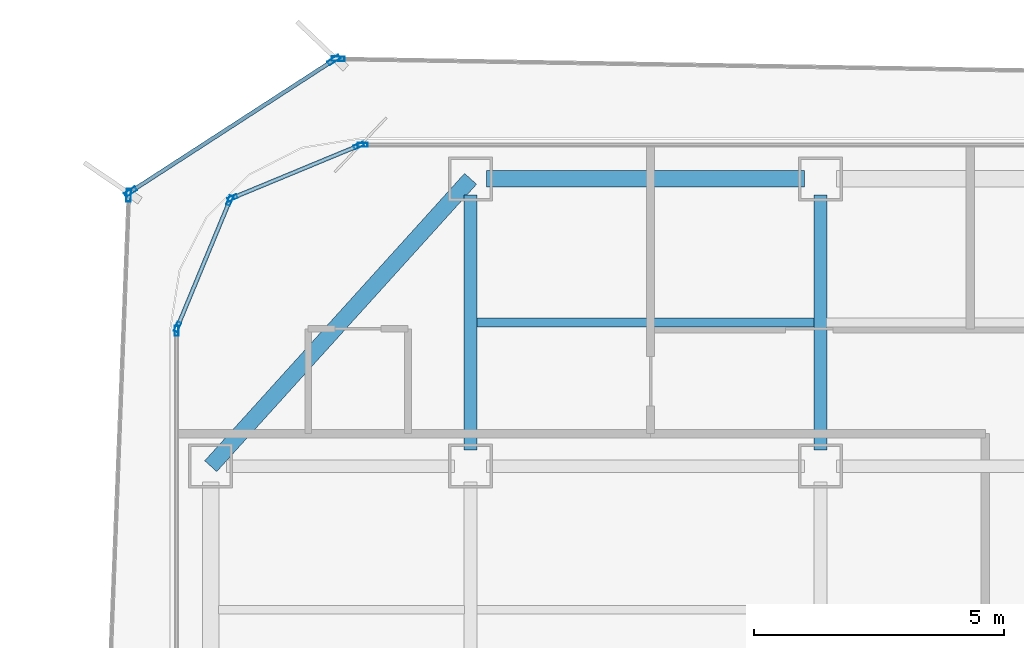
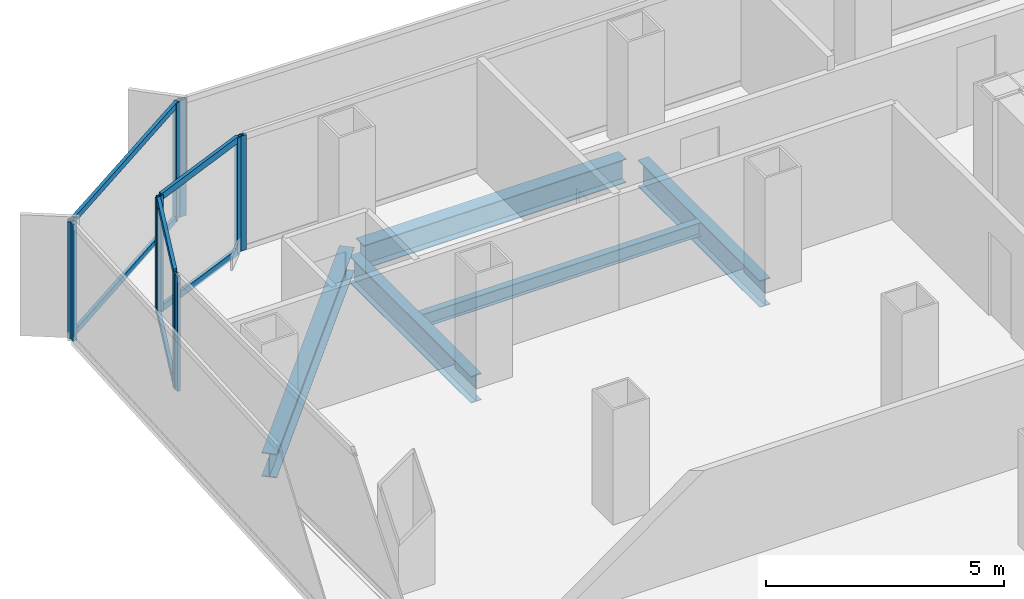
# One storey, part 10 of 21: 16 members, 5 beams, 7 elements without a shape of their own.
"""IFC4 building model written with IfcOpenShell, lengths in metres."""

from ifc_helpers import new_model, si_unit, direction, frame, origin, origin_2d, place, context, subcontext, project, spatial, hollow_rectangle, i_section, extrude, source, transform, mapped, material, layer, layer_set, material_profile, profile_set, type_object, element, aggregate, save


model = new_model("IFC4")

# Units and contexts
model_context = context("Model", 3, precision=1e-05, world=origin(), true_north=direction((0.0, 1.0)))
body_context = subcontext(model_context, "Body", "Model", "MODEL_VIEW")
ifc_project = project(units=[si_unit("LENGTHUNIT", "METRE"), si_unit("AREAUNIT", "SQUARE_METRE"), si_unit("VOLUMEUNIT", "CUBIC_METRE"), si_unit("PLANEANGLEUNIT", "RADIAN"), si_unit("MASSUNIT", "GRAM", prefix="KILO")], contexts=[model_context])

# Site, building, storey
site_placement = place(None, origin())
site = spatial("IfcSite", under=ifc_project, at=site_placement, CompositionType="ELEMENT")
building_placement = place(site_placement, origin())
building = spatial("IfcBuilding", under=site, at=building_placement, Name="Kolveth Station Tower", CompositionType="ELEMENT")
storey_placement = place(building_placement, frame((0.0, 0.0, 124.699951171875)))
storey = spatial("IfcBuildingStorey", under=building, at=storey_placement, Name="L34", CompositionType="ELEMENT", Elevation=124.699951171875)

# Beams
ifc_material_1 = material(Name="Steel S355", Category="steel")
ifc_material_profile_1 = material_profile(ifc_material_1, i_section(OverallWidth=0.323974609375, OverallDepth=0.611083984375, WebThickness=0.0126953125, FlangeThickness=0.01904296875, at=origin_2d()), Name="W610x155")
ifc_profile_set_1 = profile_set([ifc_material_profile_1], Name="Steel S355")
beam_type_1 = type_object("IfcBeamType", Name="Beam_SP2", PredefinedType="SPANDREL", material=ifc_profile_set_1)
shared_shape_1 = source(origin(), body_context, "Body", "SweptSolid", [
    extrude(i_section(OverallWidth=0.323974609375, OverallDepth=0.611083984375, WebThickness=0.0126953125, FlangeThickness=0.01904296875, at=origin_2d()), origin(), (0.0, 0.0, 1.0), 6.35986328125),
])
beam_1_placement = place(storey_placement, frame((6.320068359375, 34.5, -0.555419921875), z_axis=(1.0, 0.0, 0.0), x_axis=(0.0, 1.0, 0.0)))
element("IfcBeam", 1, at=beam_1_placement, inside=storey, type_object=beam_type_1, Name="L34 Perimeter Spandrel BM-L34-PN-1", PredefinedType="SPANDREL", context=body_context, shape_type="MappedRepresentation", body=[
    mapped(shared_shape_1, transform((0.0, 0.0, 0.0), x_axis=(1.0, 0.0, 0.0), y_axis=(0.0, 1.0, 0.0), z_axis=(0.0, 0.0, 1.0), scale=1.0)),
])
shared_shape_2 = source(origin(), body_context, "Body", "SweptSolid", [
    extrude(i_section(OverallWidth=0.323974609375, OverallDepth=0.611083984375, WebThickness=0.0126953125, FlangeThickness=0.01904296875, at=origin_2d()), origin(), (0.0, 0.0, 1.0), 7.75244140625),
])
beam_2_placement = place(storey_placement, frame((6.0, 34.5, -0.555419921875), z_axis=(-0.670740965555, -0.74169168603, 0.0), x_axis=(0.74169168603, -0.670740965555, 0.0)))
element("IfcBeam", 2, at=beam_2_placement, inside=storey, type_object=beam_type_1, Name="L34 Corner Edge Girder BM-L34-CNR-NW", PredefinedType="SPANDREL", context=body_context, shape_type="MappedRepresentation", body=[
    mapped(shared_shape_2, transform((0.0, 0.0, 0.0), x_axis=(1.0, 0.0, 0.0), y_axis=(0.0, 1.0, 0.0), z_axis=(0.0, 0.0, 1.0), scale=1.0)),
])
ifc_material_profile_2 = material_profile(ifc_material_1, i_section(OverallWidth=0.25390625, OverallDepth=0.68798828125, WebThickness=0.01318359375, FlangeThickness=0.02099609375, at=origin_2d()), Name="W690x152")
ifc_profile_set_2 = profile_set([ifc_material_profile_2], Name="Steel S355")
beam_type_2 = type_object("IfcBeamType", Name="Beam_B4", PredefinedType="BEAM", material=ifc_profile_set_2)
shared_shape_3 = source(origin(), body_context, "Body", "SweptSolid", [
    extrude(i_section(OverallWidth=0.25390625, OverallDepth=0.68798828125, WebThickness=0.01318359375, FlangeThickness=0.02099609375, at=origin_2d()), origin(), (0.0, 0.0, 1.0), 5.10986328125),
])
for number, where, z_axis, x_axis, name in (
    (3, (6.0, 29.070068359375, -0.593994140625), (0.0, 1.0, 0.0), (-1.0, 0.0, 0.0), "L34 Primary Girder BM-L34-GX60-6"),
    (4, (13.0, 29.070068359375, -0.593994140625), (0.0, 1.0, 0.0), (-1.0, 0.0, 0.0), "L34 Primary Girder BM-L34-GX130-6"),
):
    element("IfcBeam", number, at=place(storey_placement, frame(where, z_axis=z_axis, x_axis=x_axis)), inside=storey, type_object=beam_type_2, Name=name, PredefinedType="BEAM", context=body_context, shape_type="MappedRepresentation", body=[
        mapped(shared_shape_3, transform((0.0, 0.0, 0.0), x_axis=(1.0, 0.0, 0.0), y_axis=(0.0, 1.0, 0.0), z_axis=(0.0, 0.0, 1.0), scale=1.0)),
    ])
ifc_material_profile_3 = material_profile(ifc_material_1, i_section(OverallWidth=0.1708984375, OverallDepth=0.35205078125, WebThickness=0.0068359375, FlangeThickness=0.009765625, at=origin_2d()), Name="W360x44")
ifc_profile_set_3 = profile_set([ifc_material_profile_3], Name="Steel S355")
beam_type_3 = type_object("IfcBeamType", Name="Beam_J2", PredefinedType="JOIST", material=ifc_profile_set_3)
shared_shape_4 = source(origin(), body_context, "Body", "SweptSolid", [
    extrude(i_section(OverallWidth=0.1708984375, OverallDepth=0.35205078125, WebThickness=0.0068359375, FlangeThickness=0.009765625, at=origin_2d()), origin(), (0.0, 0.0, 1.0), 6.75),
])
beam_3_placement = place(storey_placement, frame((6.125, 31.625, -0.426025390625), z_axis=(1.0, 0.0, 0.0), x_axis=(0.0, 1.0, 0.0)))
element("IfcBeam", 5, at=beam_3_placement, inside=storey, type_object=beam_type_3, Name="L34 Secondary Joist JST-L34-2-6", PredefinedType="JOIST", context=body_context, shape_type="MappedRepresentation", body=[
    mapped(shared_shape_4, transform((0.0, 0.0, 0.0), x_axis=(1.0, 0.0, 0.0), y_axis=(0.0, 1.0, 0.0), z_axis=(0.0, 0.0, 1.0), scale=1.0)),
])

# Curtain wall, member
ifc_material_2 = material(Name="Aluminium 6063-T6 and low-E dark glass", Category="aluminium")
ifc_layer_1 = layer(ifc_material_2, 0.18994140625)
ifc_layer_set_1 = layer_set([ifc_layer_1], Name="Aluminium 6063-T6 and low-E dark glass")
curtain_wall_type_1 = type_object("IfcCurtainWallType", Name="CurtainWall_CW-Z2", PredefinedType="NOTDEFINED", material=ifc_layer_set_1)
curtain_wall_1_placement = place(storey_placement, origin())
curtain_wall_1 = element("IfcCurtainWall", 6, at=curtain_wall_1_placement, inside=storey, type_object=curtain_wall_type_1, Name="L34 Inner Thermal Curtain Wall 6", PredefinedType="NOTDEFINED")
ifc_material_3 = material(Name="Black anodized aluminium 6063-T6", Category="aluminium")
ifc_material_profile_4 = material_profile(ifc_material_3, hollow_rectangle(XDim=0.080078125, YDim=0.199951171875, WallThickness=0.0048828125, at=origin_2d()), Name="ALU-80x200x5")
ifc_profile_set_4 = profile_set([ifc_material_profile_4], Name="Black anodized aluminium 6063-T6")
member_type_1 = type_object("IfcMemberType", Name="Mullion_ML2", PredefinedType="MULLION", material=ifc_profile_set_4)
shared_shape_5 = source(origin(), body_context, "Body", "SweptSolid", [
    extrude(hollow_rectangle(XDim=0.080078125, YDim=0.199951171875, WallThickness=0.0048828125, at=origin_2d()), origin(), (0.0, 0.0, 1.0), 2.949951171875),
])
member_1_placement = place(storey_placement, frame((3.840087890625, 35.179931640625, 0.0), z_axis=(0.0, 0.0, 1.0), x_axis=(0.0, -1.0, 0.0)))
member_1 = element("IfcMember", 7, at=member_1_placement, type_object=member_type_1, Name="CW-Z2 mullion 3", PredefinedType="MULLION", context=body_context, shape_type="MappedRepresentation", body=[
    mapped(shared_shape_5, transform((0.0, 0.0, 0.0), x_axis=(1.0, 0.0, 0.0), y_axis=(0.0, 1.0, 0.0), z_axis=(0.0, 0.0, 1.0), scale=1.0)),
])
aggregate(curtain_wall_1, [member_1])

# Curtain wall, members
curtain_wall_2_placement = place(storey_placement, origin())
curtain_wall_2 = element("IfcCurtainWall", 8, at=curtain_wall_2_placement, inside=storey, type_object=curtain_wall_type_1, Name="L34 Inner Thermal Curtain Wall 7", PredefinedType="NOTDEFINED")
member_2_placement = place(storey_placement, frame((3.762939453125, 35.164794921875, 0.0), z_axis=(0.0, 0.0, 1.0), x_axis=(0.38266326998, -0.923887883787, 0.0)))
member_2 = element("IfcMember", 9, at=member_2_placement, type_object=member_type_1, Name="CW-Z2 mullion 1", PredefinedType="MULLION", context=body_context, shape_type="MappedRepresentation", body=[
    mapped(shared_shape_5, transform((0.0, 0.0, 0.0), x_axis=(1.0, 0.0, 0.0), y_axis=(0.0, 1.0, 0.0), z_axis=(0.0, 0.0, 1.0), scale=1.0)),
])
member_3_placement = place(storey_placement, frame((1.23486328125, 34.117431640625, 0.0), z_axis=(0.0, 0.0, 1.0), x_axis=(0.38266326998, -0.923887883787, 0.0)))
member_3 = element("IfcMember", 10, at=member_3_placement, type_object=member_type_1, Name="CW-Z2 mullion 2", PredefinedType="MULLION", context=body_context, shape_type="MappedRepresentation", body=[
    mapped(shared_shape_5, transform((0.0, 0.0, 0.0), x_axis=(1.0, 0.0, 0.0), y_axis=(0.0, 1.0, 0.0), z_axis=(0.0, 0.0, 1.0), scale=1.0)),
])

curtain_wall_3_placement = place(storey_placement, origin())
curtain_wall_3 = element("IfcCurtainWall", 11, at=curtain_wall_3_placement, inside=storey, type_object=curtain_wall_type_1, Name="L34 Inner Thermal Curtain Wall 8", PredefinedType="NOTDEFINED")
member_4_placement = place(storey_placement, frame((1.182373046875, 34.065185546875, 0.0), z_axis=(0.0, 0.0, 1.0), x_axis=(0.923887883787, -0.38266326998, 0.0)))
member_4 = element("IfcMember", 12, at=member_4_placement, type_object=member_type_1, Name="CW-Z2 mullion 1", PredefinedType="MULLION", context=body_context, shape_type="MappedRepresentation", body=[
    mapped(shared_shape_5, transform((0.0, 0.0, 0.0), x_axis=(1.0, 0.0, 0.0), y_axis=(0.0, 1.0, 0.0), z_axis=(0.0, 0.0, 1.0), scale=1.0)),
])
member_5_placement = place(storey_placement, frame((0.13525390625, 31.536865234375, 0.0), z_axis=(0.0, 0.0, 1.0), x_axis=(0.923887883787, -0.38266326998, 0.0)))
member_5 = element("IfcMember", 13, at=member_5_placement, type_object=member_type_1, Name="CW-Z2 mullion 2", PredefinedType="MULLION", context=body_context, shape_type="MappedRepresentation", body=[
    mapped(shared_shape_5, transform((0.0, 0.0, 0.0), x_axis=(1.0, 0.0, 0.0), y_axis=(0.0, 1.0, 0.0), z_axis=(0.0, 0.0, 1.0), scale=1.0)),
])

# Curtain wall, member
curtain_wall_4_placement = place(storey_placement, origin())
curtain_wall_4 = element("IfcCurtainWall", 14, at=curtain_wall_4_placement, inside=storey, type_object=curtain_wall_type_1, Name="L34 Inner Thermal Curtain Wall 9", PredefinedType="NOTDEFINED")
member_6_placement = place(storey_placement, frame((0.1201171875, 31.4599609375, 0.0), z_axis=(0.0, 0.0, 1.0), x_axis=(1.0, 0.0, 0.0)))
member_6 = element("IfcMember", 15, at=member_6_placement, type_object=member_type_1, Name="CW-Z2 mullion 1", PredefinedType="MULLION", context=body_context, shape_type="MappedRepresentation", body=[
    mapped(shared_shape_5, transform((0.0, 0.0, 0.0), x_axis=(1.0, 0.0, 0.0), y_axis=(0.0, 1.0, 0.0), z_axis=(0.0, 0.0, 1.0), scale=1.0)),
])
aggregate(curtain_wall_4, [member_6])

# Member
ifc_material_profile_5 = material_profile(ifc_material_3, hollow_rectangle(XDim=0.080078125, YDim=0.169921875, WallThickness=0.0048828125, at=origin_2d()), Name="ALU-80x170x5")
ifc_profile_set_5 = profile_set([ifc_material_profile_5], Name="Black anodized aluminium 6063-T6")
member_type_2 = type_object("IfcMemberType", Name="Transom_TR2", PredefinedType="USERDEFINED", material=ifc_profile_set_5)
shared_shape_6 = source(origin(), body_context, "Body", "SweptSolid", [
    extrude(hollow_rectangle(XDim=0.080078125, YDim=0.169921875, WallThickness=0.0048828125, at=origin_2d()), origin(), (0.0, 0.0, 1.0), 2.656494140625),
])
member_7_placement = place(storey_placement, frame((3.72607421875, 35.1494140625, 0.0400390625), z_axis=(-0.923882422403, -0.382676455475, 0.0), x_axis=(0.382676455475, -0.923882422403, 0.0)))
member_7 = element("IfcMember", 16, at=member_7_placement, type_object=member_type_2, Name="CW-Z2 transom 1.1", ObjectType="TRANSOM", PredefinedType="USERDEFINED", context=body_context, shape_type="MappedRepresentation", body=[
    mapped(shared_shape_6, transform((0.0, 0.0, 0.0), x_axis=(1.0, 0.0, 0.0), y_axis=(0.0, 1.0, 0.0), z_axis=(0.0, 0.0, 1.0), scale=1.0)),
])

member_8_placement = place(storey_placement, frame((3.72607421875, 35.1494140625, 2.91015625), z_axis=(-0.923882422403, -0.382676455475, 0.0), x_axis=(0.382676455475, -0.923882422403, 0.0)))
member_8 = element("IfcMember", 17, at=member_8_placement, type_object=member_type_2, Name="CW-Z2 transom 1.2", ObjectType="TRANSOM", PredefinedType="USERDEFINED", context=body_context, shape_type="MappedRepresentation", body=[
    mapped(shared_shape_6, transform((0.0, 0.0, 0.0), x_axis=(1.0, 0.0, 0.0), y_axis=(0.0, 1.0, 0.0), z_axis=(0.0, 0.0, 1.0), scale=1.0)),
])

aggregate(curtain_wall_2, [member_2, member_3, member_7, member_8])

member_9_placement = place(storey_placement, frame((1.167236328125, 34.0283203125, 0.0400390625), z_axis=(-0.382676455475, -0.923882422403, 0.0), x_axis=(0.923882422403, -0.382676455475, 0.0)))
member_9 = element("IfcMember", 18, at=member_9_placement, type_object=member_type_2, Name="CW-Z2 transom 1.1", ObjectType="TRANSOM", PredefinedType="USERDEFINED", context=body_context, shape_type="MappedRepresentation", body=[
    mapped(shared_shape_6, transform((0.0, 0.0, 0.0), x_axis=(1.0, 0.0, 0.0), y_axis=(0.0, 1.0, 0.0), z_axis=(0.0, 0.0, 1.0), scale=1.0)),
])

member_10_placement = place(storey_placement, frame((1.167236328125, 34.0283203125, 2.91015625), z_axis=(-0.382676455475, -0.923882422403, 0.0), x_axis=(0.923882422403, -0.382676455475, 0.0)))
member_10 = element("IfcMember", 19, at=member_10_placement, type_object=member_type_2, Name="CW-Z2 transom 1.2", ObjectType="TRANSOM", PredefinedType="USERDEFINED", context=body_context, shape_type="MappedRepresentation", body=[
    mapped(shared_shape_6, transform((0.0, 0.0, 0.0), x_axis=(1.0, 0.0, 0.0), y_axis=(0.0, 1.0, 0.0), z_axis=(0.0, 0.0, 1.0), scale=1.0)),
])

aggregate(curtain_wall_3, [member_4, member_5, member_9, member_10])

# Curtain wall, member
ifc_material_4 = material(Name="Black anodized aluminium 6063-T6 and dark solar glass", Category="aluminium")
ifc_layer_2 = layer(ifc_material_4, 0.159912109375)
ifc_layer_set_2 = layer_set([ifc_layer_2], Name="Black anodized aluminium 6063-T6 and dark solar glass")
curtain_wall_type_2 = type_object("IfcCurtainWallType", Name="OUTER SKIN CW-OS", PredefinedType="NOTDEFINED", material=ifc_layer_set_2)
curtain_wall_5_placement = place(storey_placement, origin())
curtain_wall_5 = element("IfcCurtainWall", 20, at=curtain_wall_5_placement, inside=storey, type_object=curtain_wall_type_2, Name="L34 Outer Ventilated Skin Curtain Wall 4", PredefinedType="NOTDEFINED")
ifc_material_profile_6 = material_profile(ifc_material_3, hollow_rectangle(XDim=0.090087890625, YDim=0.260009765625, WallThickness=0.0048828125, at=origin_2d()), Name="ALU-90x260x5")
ifc_profile_set_6 = profile_set([ifc_material_profile_6], Name="Black anodized aluminium 6063-T6")
member_type_3 = type_object("IfcMemberType", Name="FIN MULLION ML-OS", PredefinedType="MULLION", material=ifc_profile_set_6)
shared_shape_7 = source(origin(), body_context, "Body", "SweptSolid", [
    extrude(hollow_rectangle(XDim=0.090087890625, YDim=0.260009765625, WallThickness=0.0048828125, at=origin_2d()), origin(), (0.0, 0.0, 1.0), 2.989990234375),
])
member_11_placement = place(storey_placement, frame((3.34912109375, 36.90234375, 0.0), z_axis=(0.0, 0.0, 1.0), x_axis=(-0.016715983886, -0.99986027818, 0.0)))
member_11 = element("IfcMember", 21, at=member_11_placement, type_object=member_type_3, Name="CW-OS mullion 2", PredefinedType="MULLION", context=body_context, shape_type="MappedRepresentation", body=[
    mapped(shared_shape_7, transform((0.0, 0.0, 0.0), x_axis=(1.0, 0.0, 0.0), y_axis=(0.0, 1.0, 0.0), z_axis=(0.0, 0.0, 1.0), scale=1.0)),
])
aggregate(curtain_wall_5, [member_11])

# Curtain wall, members
curtain_wall_6_placement = place(storey_placement, origin())
curtain_wall_6 = element("IfcCurtainWall", 22, at=curtain_wall_6_placement, inside=storey, type_object=curtain_wall_type_2, Name="L34 Outer Ventilated Skin Curtain Wall 5", PredefinedType="NOTDEFINED")
member_12_placement = place(storey_placement, frame((3.266357421875, 36.87841796875, 0.0), z_axis=(0.0, 0.0, 1.0), x_axis=(0.543741503232, -0.839252749571, 0.0)))
member_12 = element("IfcMember", 23, at=member_12_placement, type_object=member_type_3, Name="CW-OS mullion 1", PredefinedType="MULLION", context=body_context, shape_type="MappedRepresentation", body=[
    mapped(shared_shape_7, transform((0.0, 0.0, 0.0), x_axis=(1.0, 0.0, 0.0), y_axis=(0.0, 1.0, 0.0), z_axis=(0.0, 0.0, 1.0), scale=1.0)),
])
member_13_placement = place(storey_placement, frame((-0.802734375, 34.2421875, 0.0), z_axis=(0.0, 0.0, 1.0), x_axis=(0.543741503232, -0.839252749571, 0.0)))
member_13 = element("IfcMember", 24, at=member_13_placement, type_object=member_type_3, Name="CW-OS mullion 2", PredefinedType="MULLION", context=body_context, shape_type="MappedRepresentation", body=[
    mapped(shared_shape_7, transform((0.0, 0.0, 0.0), x_axis=(1.0, 0.0, 0.0), y_axis=(0.0, 1.0, 0.0), z_axis=(0.0, 0.0, 1.0), scale=1.0)),
])

# Curtain wall, member
curtain_wall_7_placement = place(storey_placement, origin())
curtain_wall_7 = element("IfcCurtainWall", 25, at=curtain_wall_7_placement, inside=storey, type_object=curtain_wall_type_2, Name="L34 Outer Ventilated Skin Curtain Wall 6", PredefinedType="NOTDEFINED")
member_14_placement = place(storey_placement, frame((-0.84228515625, 34.1728515625, 0.0), z_axis=(0.0, 0.0, 1.0), x_axis=(0.999225657651, -0.039345712495, 0.0)))
member_14 = element("IfcMember", 26, at=member_14_placement, type_object=member_type_3, Name="CW-OS mullion 1", PredefinedType="MULLION", context=body_context, shape_type="MappedRepresentation", body=[
    mapped(shared_shape_7, transform((0.0, 0.0, 0.0), x_axis=(1.0, 0.0, 0.0), y_axis=(0.0, 1.0, 0.0), z_axis=(0.0, 0.0, 1.0), scale=1.0)),
])
aggregate(curtain_wall_7, [member_14])

# Member
ifc_material_profile_7 = material_profile(ifc_material_3, hollow_rectangle(XDim=0.080078125, YDim=0.14990234375, WallThickness=0.0048828125, at=origin_2d()), Name="ALU-80x150x5")
ifc_profile_set_7 = profile_set([ifc_material_profile_7], Name="Black anodized aluminium 6063-T6")
member_type_4 = type_object("IfcMemberType", Name="Transom_TR-OS", PredefinedType="USERDEFINED", material=ifc_profile_set_7)
shared_shape_8 = source(origin(), body_context, "Body", "SweptSolid", [
    extrude(hollow_rectangle(XDim=0.080078125, YDim=0.14990234375, WallThickness=0.0048828125, at=origin_2d()), origin(), (0.0, 0.0, 1.0), 4.758544921875),
])
member_15_placement = place(storey_placement, frame((3.228515625, 36.85400390625, 0.0400390625), z_axis=(-0.839256177251, -0.543736212649, 0.0), x_axis=(0.543736212649, -0.839256177251, 0.0)))
member_15 = element("IfcMember", 27, at=member_15_placement, type_object=member_type_4, Name="CW-OS transom 1.1", ObjectType="TRANSOM", PredefinedType="USERDEFINED", context=body_context, shape_type="MappedRepresentation", body=[
    mapped(shared_shape_8, transform((0.0, 0.0, 0.0), x_axis=(1.0, 0.0, 0.0), y_axis=(0.0, 1.0, 0.0), z_axis=(0.0, 0.0, 1.0), scale=1.0)),
])

member_16_placement = place(storey_placement, frame((3.228515625, 36.85400390625, 2.949951171875), z_axis=(-0.839256177251, -0.543736212649, 0.0), x_axis=(0.543736212649, -0.839256177251, 0.0)))
member_16 = element("IfcMember", 28, at=member_16_placement, type_object=member_type_4, Name="CW-OS transom 1.2", ObjectType="TRANSOM", PredefinedType="USERDEFINED", context=body_context, shape_type="MappedRepresentation", body=[
    mapped(shared_shape_8, transform((0.0, 0.0, 0.0), x_axis=(1.0, 0.0, 0.0), y_axis=(0.0, 1.0, 0.0), z_axis=(0.0, 0.0, 1.0), scale=1.0)),
])

aggregate(curtain_wall_6, [member_12, member_13, member_15, member_16])

save(model, "model.ifc")
